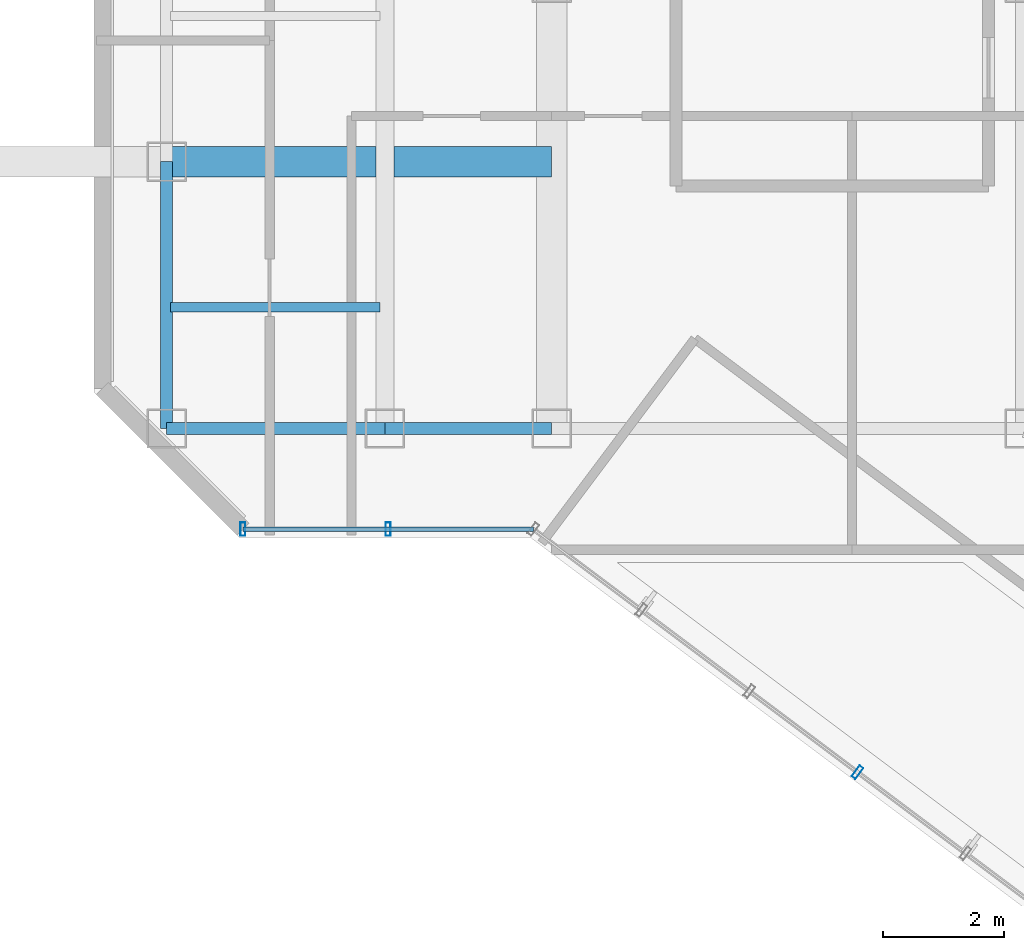
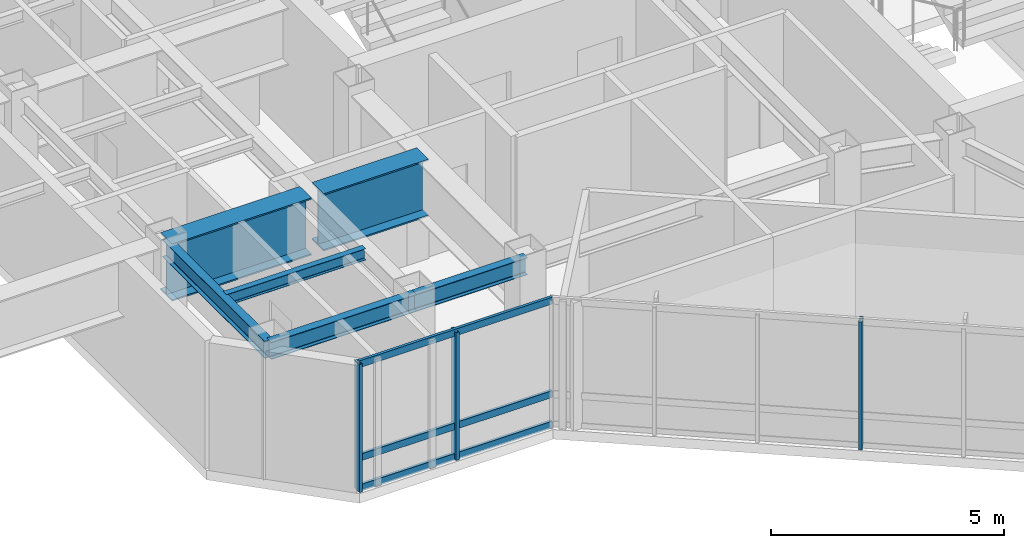
# One storey, part 2 of 17: 6 beams, 6 members, 2 elements without a shape of their own.
"""IFC4 building model written with IfcOpenShell, lengths in metres."""

import ifcopenshell
import ifcopenshell.guid

model = None  # the IFC model being written
_history = None  # IfcOwnerHistory: only IFC2X3 demands one
_inside = {}  # id of a spatial element -> (the spatial element, [elements in it])
_under = {}  # id of a project, library or spatial element -> (it, [spatial elements below it])
_declared = {}  # id of a project -> (the project, [libraries it declares])
_typed = {}  # id of a type object -> (the type object, [elements of that type])
_made_of = {}  # id of a material, layer set ... -> (it, [elements and type objects made of it])


def new_model(schema):
    """Start an empty IFC model of exactly this schema.

    Asked for "IFC4X3", IfcOpenShell would pick the latest addendum, in which some entities
    have other attributes; the version numbers below select the first issue.
    IFC2X3 requires an IfcOwnerHistory on every rooted entity: one is made here for all.
    """
    global model, _history
    if schema == "IFC4X3":
        model = ifcopenshell.file(schema_version=(4, 3, 0, 0))
    else:
        model = ifcopenshell.file(schema=schema)
    _inside.clear()
    _under.clear()
    _declared.clear()
    _typed.clear()
    _made_of.clear()
    _history = None
    if model.schema == "IFC2X3":
        org = make("IfcOrganization", Name="unknown")
        user = make(
            "IfcPersonAndOrganization",
            ThePerson=make("IfcPerson", FamilyName="unknown"),
            TheOrganization=org,
        )
        app = make(
            "IfcApplication",
            ApplicationDeveloper=org,
            Version="unknown",
            ApplicationFullName="unknown",
            ApplicationIdentifier="unknown",
        )
        _history = make(
            "IfcOwnerHistory",
            OwningUser=user,
            OwningApplication=app,
            ChangeAction="ADDED",
            CreationDate=0,
        )
    return model


def make(cls, **values):
    """One entity of the class cls with the attributes given. An attribute that is None is left unset."""
    return model.create_entity(
        cls, **{name: value for name, value in values.items() if value is not None}
    )


def rooted(cls, **values):
    """An entity with a GlobalId (a new one), such as an element, a storey or a relation."""
    return make(cls, GlobalId=ifcopenshell.guid.new(), OwnerHistory=_history, **values)


def si_unit(unit_type, name, prefix=None):
    """IfcSIUnit, for example si_unit("LENGTHUNIT", "METRE", prefix="MILLI")."""
    return make("IfcSIUnit", UnitType=unit_type, Prefix=prefix, Name=name)


def assignment(units):
    """IfcUnitAssignment: the units of a project."""
    return None if units is None else make("IfcUnitAssignment", Units=units)


def point(xyz):
    """IfcCartesianPoint."""
    return None if xyz is None else make("IfcCartesianPoint", Coordinates=xyz)


def direction(xyz):
    """IfcDirection."""
    return None if xyz is None else make("IfcDirection", DirectionRatios=xyz)


def frame(location, z_axis=None, x_axis=None):
    """IfcAxis2Placement3D, a coordinate frame: its origin and axes. An axis left out is left unset."""
    return make(
        "IfcAxis2Placement3D",
        Location=point(location),
        Axis=direction(z_axis),
        RefDirection=direction(x_axis),
    )


def frame_2d(location, x_axis=None):
    """IfcAxis2Placement2D, a coordinate frame in the plane: its origin and x axis."""
    return make(
        "IfcAxis2Placement2D", Location=point(location), RefDirection=direction(x_axis)
    )


def origin():
    """The frame at (0, 0, 0) with its axes left unset."""
    return frame((0.0, 0.0, 0.0))


def origin_2d():
    """The frame at (0, 0) in the plane with its x axis left unset."""
    return frame_2d((0.0, 0.0))


def place(relative_to, where):
    """IfcLocalPlacement: puts the frame where relative to a parent placement (None: the world)."""
    return make(
        "IfcLocalPlacement", PlacementRelTo=relative_to, RelativePlacement=where
    )


def context(
    kind, dimensions, precision=None, world=None, true_north=None, identifier=None
):
    """IfcGeometricRepresentationContext, for example the 3D "Model" context."""
    return make(
        "IfcGeometricRepresentationContext",
        ContextIdentifier=identifier,
        ContextType=kind,
        CoordinateSpaceDimension=dimensions,
        Precision=precision,
        WorldCoordinateSystem=world,
        TrueNorth=true_north,
    )


def subcontext(parent, identifier, kind, view, scale=None):
    """IfcGeometricRepresentationSubContext, for example "Body" below "Model"."""
    return make(
        "IfcGeometricRepresentationSubContext",
        ContextIdentifier=identifier,
        ContextType=kind,
        ParentContext=parent,
        TargetScale=scale,
        TargetView=view,
    )


def project(units=None, contexts=None):
    """IfcProject with its units and contexts."""
    return rooted(
        "IfcProject",
        Name="project",
        RepresentationContexts=contexts,
        UnitsInContext=assignment(units),
    )


def spatial(cls, under=None, at=None, **own):
    """A site, building, storey or space (cls), placed at a placement, below another one or the project."""
    s = rooted(cls, ObjectPlacement=at, **own)
    if under is not None:
        _under.setdefault(under.id(), (under, []))[1].append(s)
    return s


def profile(cls, at=None, kind="AREA", **sizes):
    """A parametric profile (cls). Its sizes go by their IFC names, for example OverallWidth=200.0."""
    return make(cls, ProfileType=kind, Position=at, **sizes)


def hollow_rectangle(**sizes):
    """IfcRectangleHollowProfileDef."""
    return profile("IfcRectangleHollowProfileDef", **sizes)


def i_section(**sizes):
    """IfcIShapeProfileDef."""
    return profile("IfcIShapeProfileDef", **sizes)


def extrude(swept, where, along, depth):
    """IfcExtrudedAreaSolid: the profile swept, set in the frame where, extruded along a direction by depth."""
    return make(
        "IfcExtrudedAreaSolid",
        SweptArea=swept,
        Position=where,
        ExtrudedDirection=direction(along),
        Depth=depth,
    )


def shape(context_of_items, identifier, shape_type, items):
    """IfcShapeRepresentation: the items that make up one representation, for example the "Body"."""
    return make(
        "IfcShapeRepresentation",
        ContextOfItems=context_of_items,
        RepresentationIdentifier=identifier,
        RepresentationType=shape_type,
        Items=items,
    )


def material(Name=None, Category=None):
    """IfcMaterial."""
    return make("IfcMaterial", Name=Name, Category=Category)


def layer(
    of_material, thickness, ventilated=None, Name=None, Category=None, Priority=None
):
    """IfcMaterialLayer: one layer of a wall or slab, of a material (None: an air gap)."""
    return make(
        "IfcMaterialLayer",
        Material=of_material,
        LayerThickness=thickness,
        IsVentilated=ventilated,
        Name=Name,
        Category=Category,
        Priority=Priority,
    )


def layer_set(layers, Name=None):
    """IfcMaterialLayerSet."""
    return make("IfcMaterialLayerSet", MaterialLayers=layers, LayerSetName=Name)


def material_profile(
    of_material, cross_section, Name=None, Category=None, Priority=None
):
    """IfcMaterialProfile: a cross section and its material."""
    return make(
        "IfcMaterialProfile",
        Name=Name,
        Material=of_material,
        Profile=cross_section,
        Priority=Priority,
        Category=Category,
    )


def profile_set(profiles, Name=None, composite=None):
    """IfcMaterialProfileSet."""
    return make(
        "IfcMaterialProfileSet",
        Name=Name,
        MaterialProfiles=profiles,
        CompositeProfile=composite,
    )


def made_of(thing, what):
    """Note that an element or type object is made of a material, layer set ...; save() writes the relation."""
    if what is not None:
        _made_of.setdefault(what.id(), (what, []))[1].append(thing)
    return thing


def type_object(cls, material=None, **own):
    """A type object (cls), such as IfcWallType, which elements share."""
    return made_of(rooted(cls, **own), material)


def element(
    cls,
    number,
    at=None,
    inside=None,
    cuts=None,
    type_object=None,
    material=None,
    context=None,
    identifier="Body",
    shape_type=None,
    held_by="IfcProductDefinitionShape",
    body=None,
    shapes=None,
    **own,
):
    """One element of the class cls, such as IfcWall. Its Tag is "e" and its number.

    at: its placement. inside: the storey or other place that contains it. cuts: it is an
    opening in that element (IfcRelVoidsElement). A single representation is given by context,
    identifier, shape_type and body (its items); several are given by shapes. held_by: the class
    of the entity that holds the representations. save() writes the other relations.
    """
    e = rooted(cls, Tag="e%d" % number, ObjectPlacement=at, **own)
    if body is not None:
        shapes = [shape(context, identifier, shape_type, body)]
    if shapes is not None:
        e.Representation = make(held_by, Representations=shapes)
    if inside is not None:
        _inside.setdefault(inside.id(), (inside, []))[1].append(e)
    if cuts is not None:
        rooted(
            "IfcRelVoidsElement", RelatingBuildingElement=cuts, RelatedOpeningElement=e
        )
    if type_object is not None:
        _typed.setdefault(type_object.id(), (type_object, []))[1].append(e)
    return made_of(e, material)


def aggregate(whole, parts):
    """IfcRelAggregates: a whole, such as a stair, and the parts it consists of."""
    return rooted("IfcRelAggregates", RelatingObject=whole, RelatedObjects=parts)


def save(model, path):
    """Write the relations noted so far, then the file.

    IfcRelAggregates (storeys below a building ...), IfcRelContainedInSpatialStructure (elements
    in a storey), IfcRelDefinesByType, IfcRelAssociatesMaterial and IfcRelDeclares: one each for
    every whole, place, type object, material and project.
    """
    for whole, parts in _under.values():
        aggregate(whole, parts)
    for where, things in _inside.values():
        rooted(
            "IfcRelContainedInSpatialStructure",
            RelatedElements=things,
            RelatingStructure=where,
        )
    for kind, things in _typed.values():
        rooted("IfcRelDefinesByType", RelatedObjects=things, RelatingType=kind)
    for what, things in _made_of.values():
        rooted("IfcRelAssociatesMaterial", RelatedObjects=things, RelatingMaterial=what)
    for by, libraries in _declared.values():
        rooted("IfcRelDeclares", RelatingContext=by, RelatedDefinitions=libraries)
    model.write(path)


model = new_model("IFC4")

# Units and contexts
model_context = context("Model", 3, precision=1e-05, world=origin(), true_north=direction((0.0, 1.0)))
body_context = subcontext(model_context, "Body", "Model", "MODEL_VIEW")
ifc_project = project(units=[si_unit("LENGTHUNIT", "METRE"), si_unit("AREAUNIT", "SQUARE_METRE"), si_unit("VOLUMEUNIT", "CUBIC_METRE"), si_unit("PLANEANGLEUNIT", "RADIAN"), si_unit("MASSUNIT", "GRAM", prefix="KILO")], contexts=[model_context])

# Site, building, storey
site_placement = place(None, origin())
site = spatial("IfcSite", under=ifc_project, at=site_placement, CompositionType="ELEMENT")
building_placement = place(site_placement, origin())
building = spatial("IfcBuilding", under=site, at=building_placement, Name="Hatsunagi Terrace Concourse", CompositionType="ELEMENT")
storey_placement = place(building_placement, frame((0.0, 0.0, 253.949951171875)))
storey = spatial("IfcBuildingStorey", under=building, at=storey_placement, Name="L67", CompositionType="ELEMENT", Elevation=253.949951171875)

# Curtain wall, member
ifc_material_1 = material(Name="Anodised Aluminium Alloy 6063-T5", Category="aluminium")
ifc_layer = layer(ifc_material_1, 0.199951171875)
ifc_layer_set = layer_set([ifc_layer], Name="SkyLobbyAtrium_CW05")
curtain_wall_type = type_object("IfcCurtainWallType", Name="SkyLobbyAtrium_CW05", PredefinedType="NOTDEFINED", material=ifc_layer_set)
curtain_wall_1_placement = place(storey_placement, origin())
curtain_wall_1 = element("IfcCurtainWall", 1, at=curtain_wall_1_placement, inside=storey, type_object=curtain_wall_type, Name="Unitised Curtain Wall CW-05 CW-L67-05", PredefinedType="NOTDEFINED")
ifc_material_2 = material(Name="Anodised Aluminium Alloy 6063-T5", Category="aluminium")
ifc_material_profile_1 = material_profile(ifc_material_2, hollow_rectangle(XDim=0.080078125, YDim=0.219970703125, WallThickness=0.0048828125, at=origin_2d()), Name="ALU-MUL-220x80x5")
ifc_profile_set_1 = profile_set([ifc_material_profile_1], Name="Anodised Aluminium Alloy 6063-T5")
member_type_1 = type_object("IfcMemberType", Name="CurtainWallMullion_Heavy_220x80", PredefinedType="MULLION", material=ifc_profile_set_1)
member_1_placement = place(storey_placement, frame((30.592041015625, 19.531982421875, 0.0), z_axis=(0.0, 0.0, 1.0), x_axis=(-0.800007305671, 0.599990258982, 0.0)))
member_1 = element("IfcMember", 2, at=member_1_placement, type_object=member_type_1, Name="Curtain Wall Mullion MUL-01", PredefinedType="MULLION", context=body_context, shape_type="SweptSolid", body=[
    extrude(hollow_rectangle(XDim=0.080078125, YDim=0.219970703125, WallThickness=0.0048828125, at=origin_2d()), origin(), (0.0, 0.0, 1.0), 3.35009765625),
])
aggregate(curtain_wall_1, [member_1])

# Curtain wall, members
curtain_wall_2_placement = place(storey_placement, origin())
curtain_wall_2 = element("IfcCurtainWall", 3, at=curtain_wall_2_placement, inside=storey, type_object=curtain_wall_type, Name="Unitised Curtain Wall CW-05 CW-L67-06", PredefinedType="NOTDEFINED")
member_2_placement = place(storey_placement, frame((22.85205078125, 23.5400390625, 0.0), z_axis=(0.0, 0.0, 1.0), x_axis=(-1.0, 0.0, 0.0)))
member_2 = element("IfcMember", 4, at=member_2_placement, type_object=member_type_1, Name="Curtain Wall Mullion MUL-01", PredefinedType="MULLION", context=body_context, shape_type="SweptSolid", body=[
    extrude(hollow_rectangle(XDim=0.080078125, YDim=0.219970703125, WallThickness=0.0048828125, at=origin_2d()), origin(), (0.0, 0.0, 1.0), 3.35009765625),
])
member_3_placement = place(storey_placement, frame((20.4580078125, 23.5400390625, 0.0), z_axis=(0.0, 0.0, 1.0), x_axis=(-1.0, 0.0, 0.0)))
member_3 = element("IfcMember", 5, at=member_3_placement, type_object=member_type_1, Name="Curtain Wall Mullion MUL-01", PredefinedType="MULLION", context=body_context, shape_type="SweptSolid", body=[
    extrude(hollow_rectangle(XDim=0.080078125, YDim=0.219970703125, WallThickness=0.0048828125, at=origin_2d()), origin(), (0.0, 0.0, 1.0), 3.35009765625),
])
ifc_material_3 = material(Name="Anodised Aluminium Alloy 6063-T5", Category="aluminium")
ifc_material_profile_2 = material_profile(ifc_material_3, hollow_rectangle(XDim=0.070068359375, YDim=0.179931640625, WallThickness=0.00390625, at=origin_2d()), Name="ALU-TRN-180x70x4")
ifc_profile_set_2 = profile_set([ifc_material_profile_2], Name="Anodised Aluminium Alloy 6063-T5")
member_type_2 = type_object("IfcMemberType", Name="CurtainWallTransom_Heavy_180x70", PredefinedType="USERDEFINED", material=ifc_profile_set_2)
member_4_placement = place(storey_placement, frame((25.2470703125, 23.5400390625, 0.050048828125), z_axis=(-1.0, 0.0, 0.0), x_axis=(0.0, -1.0, 0.0)))
member_4 = element("IfcMember", 6, at=member_4_placement, type_object=member_type_2, Name="Curtain Wall Transom TRN-01", ObjectType="TRANSOM", PredefinedType="USERDEFINED", context=body_context, shape_type="SweptSolid", body=[
    extrude(hollow_rectangle(XDim=0.070068359375, YDim=0.179931640625, WallThickness=0.00390625, at=origin_2d()), origin(), (0.0, 0.0, 1.0), 4.7890625),
])
member_5_placement = place(storey_placement, frame((25.2470703125, 23.5400390625, 0.85009765625), z_axis=(-1.0, 0.0, 0.0), x_axis=(0.0, -1.0, 0.0)))
member_5 = element("IfcMember", 7, at=member_5_placement, type_object=member_type_2, Name="Curtain Wall Transom TRN-01", ObjectType="TRANSOM", PredefinedType="USERDEFINED", context=body_context, shape_type="SweptSolid", body=[
    extrude(hollow_rectangle(XDim=0.070068359375, YDim=0.179931640625, WallThickness=0.00390625, at=origin_2d()), origin(), (0.0, 0.0, 1.0), 4.7890625),
])
member_6_placement = place(storey_placement, frame((25.2470703125, 23.5400390625, 3.300048828125), z_axis=(-1.0, 0.0, 0.0), x_axis=(0.0, -1.0, 0.0)))
member_6 = element("IfcMember", 8, at=member_6_placement, type_object=member_type_2, Name="Curtain Wall Transom TRN-01", ObjectType="TRANSOM", PredefinedType="USERDEFINED", context=body_context, shape_type="SweptSolid", body=[
    extrude(hollow_rectangle(XDim=0.070068359375, YDim=0.179931640625, WallThickness=0.00390625, at=origin_2d()), origin(), (0.0, 0.0, 1.0), 4.7890625),
])
aggregate(curtain_wall_2, [member_2, member_3, member_4, member_5, member_6])

# Beams
ifc_material_4 = material(Name="Steel SN490B", Category="steel")
ifc_material_profile_3 = material_profile(ifc_material_4, i_section(OverallWidth=0.14990234375, OverallDepth=0.300048828125, WebThickness=0.006591796875, FlangeThickness=0.009033203125, FilletRadius=0.010986328125, at=origin_2d()), Name="H-300x150x6.5x9")
ifc_profile_set_3 = profile_set([ifc_material_profile_3], Name="Steel SN490B")
beam_type_1 = type_object("IfcBeamType", Name="OfficeJoist_H_300x150", PredefinedType="JOIST", material=ifc_profile_set_3)
beam_1_placement = place(storey_placement, frame((19.264892578125, 27.199951171875, 3.199951171875), z_axis=(1.0, 0.0, 0.0), x_axis=(0.0, 1.0, 0.0)))
element("IfcBeam", 9, at=beam_1_placement, inside=storey, type_object=beam_type_1, Name="Beam J-03 J-L67-W-19-272", PredefinedType="JOIST", context=body_context, shape_type="SweptSolid", body=[
    extrude(i_section(OverallWidth=0.14990234375, OverallDepth=0.300048828125, WebThickness=0.006591796875, FlangeThickness=0.009033203125, FilletRadius=0.010986328125, at=origin_2d()), origin(), (0.0, 0.0, 1.0), 3.4501953125),
])
ifc_material_5 = material(Name="Steel SN490B", Category="steel")
ifc_material_profile_4 = material_profile(ifc_material_5, i_section(OverallWidth=0.199951171875, OverallDepth=0.449951171875, WebThickness=0.009033203125, FlangeThickness=0.013916015625, FilletRadius=0.01611328125, at=origin_2d()), Name="H-450x200x9x14")
ifc_profile_set_4 = profile_set([ifc_material_profile_4], Name="Steel SN490B")
beam_type_2 = type_object("IfcBeamType", Name="PerimeterSpandrel_H_450x200", PredefinedType="SPANDREL", material=ifc_profile_set_4)
beam_2_placement = place(storey_placement, frame((19.199951171875, 25.199951171875, 3.125), z_axis=(1.0, 0.0, 0.0), x_axis=(0.0, 1.0, 0.0)))
element("IfcBeam", 10, at=beam_2_placement, inside=storey, type_object=beam_type_2, Name="Beam SP-02 BM-L67-WS-19", PredefinedType="SPANDREL", context=body_context, shape_type="SweptSolid", body=[
    extrude(i_section(OverallWidth=0.199951171875, OverallDepth=0.449951171875, WebThickness=0.009033203125, FlangeThickness=0.013916015625, FilletRadius=0.01611328125, at=origin_2d()), origin(), (0.0, 0.0, 1.0), 3.60009765625),
])
beam_3_placement = place(storey_placement, frame((22.800048828125, 25.199951171875, 3.125), z_axis=(1.0, 0.0, 0.0), x_axis=(0.0, 1.0, 0.0)))
element("IfcBeam", 11, at=beam_3_placement, inside=storey, type_object=beam_type_2, Name="Beam SP-02 BM-L67-WS-22", PredefinedType="SPANDREL", context=body_context, shape_type="SweptSolid", body=[
    extrude(i_section(OverallWidth=0.199951171875, OverallDepth=0.449951171875, WebThickness=0.009033203125, FlangeThickness=0.013916015625, FilletRadius=0.01611328125, at=origin_2d()), origin(), (0.0, 0.0, 1.0), 2.75),
])
beam_4_placement = place(storey_placement, frame((19.199951171875, 25.199951171875, 3.125), z_axis=(0.0, 1.0, 0.0), x_axis=(-1.0, 0.0, 0.0)))
element("IfcBeam", 12, at=beam_4_placement, inside=storey, type_object=beam_type_2, Name="Beam SP-02 BM-L67-NS-19-25", PredefinedType="SPANDREL", context=body_context, shape_type="SweptSolid", body=[
    extrude(i_section(OverallWidth=0.199951171875, OverallDepth=0.449951171875, WebThickness=0.009033203125, FlangeThickness=0.013916015625, FilletRadius=0.01611328125, at=origin_2d()), origin(), (0.0, 0.0, 1.0), 4.400146484375),
])
ifc_material_6 = material(Name="Steel SN490C", Category="steel")
ifc_material_profile_5 = material_profile(ifc_material_6, i_section(OverallWidth=0.5, OverallDepth=1.5, WebThickness=0.028076171875, FlangeThickness=0.0380859375, at=origin_2d()), Name="BH-1500x500x28x38")
ifc_profile_set_5 = profile_set([ifc_material_profile_5], Name="Steel SN490C")
beam_type_3 = type_object("IfcBeamType", Name="SkyLoungeTrussGirder_BH_1500x500x28x38", PredefinedType="USERDEFINED", material=ifc_profile_set_5)
beam_5_placement = place(storey_placement, frame((25.550048828125, 29.60009765625, 2.60009765625), z_axis=(-1.0, 0.0, 0.0), x_axis=(0.0, -1.0, 0.0)))
element("IfcBeam", 13, at=beam_5_placement, inside=storey, type_object=beam_type_3, Name="Transfer girder SLT-01 SLT-L67-BS-1", ObjectType="TRANSFER_GIRDER", PredefinedType="USERDEFINED", context=body_context, shape_type="SweptSolid", body=[
    extrude(i_section(OverallWidth=0.5, OverallDepth=1.5, WebThickness=0.028076171875, FlangeThickness=0.0380859375, at=origin_2d()), origin(), (0.0, 0.0, 1.0), 2.60009765625),
])
beam_6_placement = place(storey_placement, frame((22.64990234375, 29.60009765625, 2.60009765625), z_axis=(-1.0, 0.0, 0.0), x_axis=(0.0, -1.0, 0.0)))
element("IfcBeam", 14, at=beam_6_placement, inside=storey, type_object=beam_type_3, Name="Transfer girder SLT-01 SLT-L67-BSW-1", ObjectType="TRANSFER_GIRDER", PredefinedType="USERDEFINED", context=body_context, shape_type="SweptSolid", body=[
    extrude(i_section(OverallWidth=0.5, OverallDepth=1.5, WebThickness=0.028076171875, FlangeThickness=0.0380859375, at=origin_2d()), origin(), (0.0, 0.0, 1.0), 3.449951171875),
])

save(model, "model.ifc")
